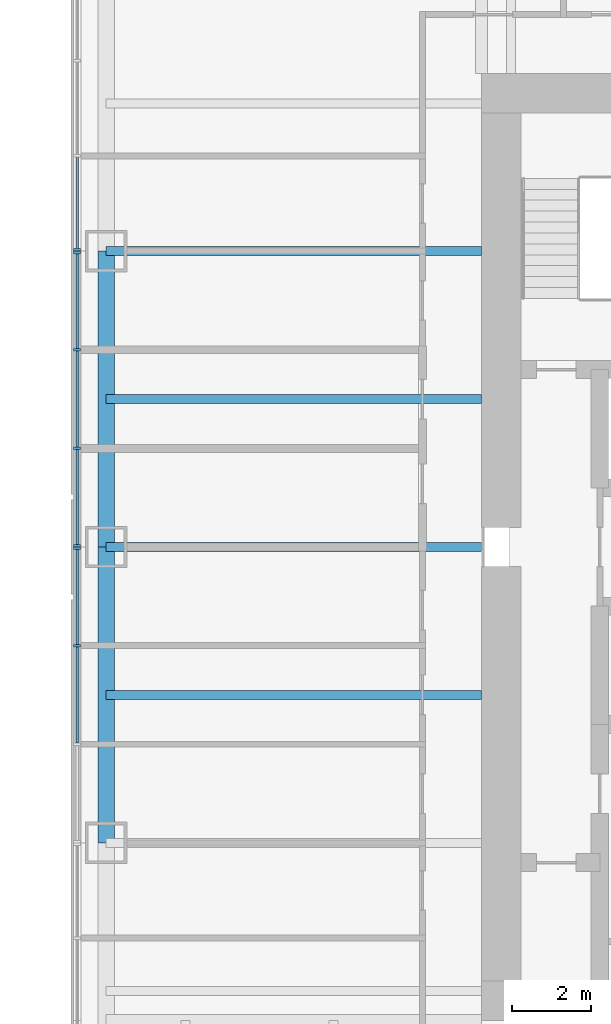
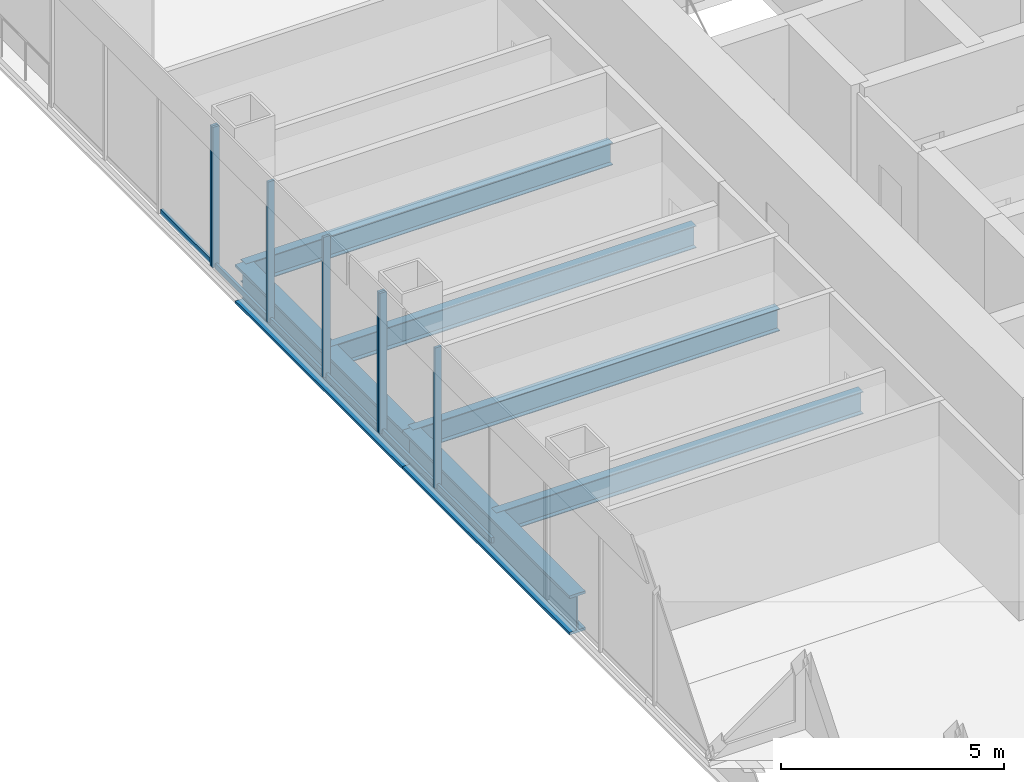
# One storey, part 3 of 14: 13 members, 6 beams, 3 elements without a shape of their own.
"""IFC4 building model written with IfcOpenShell, lengths in metres."""

from ifc_helpers import new_model, si_unit, direction, frame, origin, origin_2d, place, context, subcontext, project, spatial, rectangle, i_section, extrude, material, material_profile, profile_set, type_object, element, aggregate, save


model = new_model("IFC4")

# Units and contexts
model_context = context("Model", 3, precision=1e-05, world=origin(), true_north=direction((0.0, 1.0)))
body_context = subcontext(model_context, "Body", "Model", "MODEL_VIEW")
ifc_project = project(units=[si_unit("LENGTHUNIT", "METRE"), si_unit("AREAUNIT", "SQUARE_METRE"), si_unit("VOLUMEUNIT", "CUBIC_METRE"), si_unit("PLANEANGLEUNIT", "RADIAN"), si_unit("MASSUNIT", "GRAM", prefix="KILO")], contexts=[model_context])

# Site, building, storey
site_placement = place(None, origin())
site = spatial("IfcSite", under=ifc_project, at=site_placement, CompositionType="ELEMENT")
building_placement = place(site_placement, origin())
building = spatial("IfcBuilding", under=site, at=building_placement, Name="Tarangal Relay Tower", CompositionType="ELEMENT")
storey_placement = place(building_placement, frame((0.0, 0.0, 229.89990234375)))
storey = spatial("IfcBuildingStorey", under=building, at=storey_placement, Name="L49", CompositionType="ELEMENT", Elevation=229.89990234375)

# Beams
ifc_material_1 = material(Name="Steel ASTM A992", Category="steel")
ifc_material_profile_1 = material_profile(ifc_material_1, i_section(OverallWidth=0.41650390625, OverallDepth=1.0693359375, WebThickness=0.0390625, FlangeThickness=0.070068359375, at=origin_2d()), Name="W40X503")
ifc_profile_set_1 = profile_set([ifc_material_profile_1], Name="Steel ASTM A992")
beam_type_1 = type_object("IfcBeamType", Name="Edge girder W40X503", PredefinedType="SPANDREL", material=ifc_profile_set_1)
for number, where, z_axis, x_axis, name in (
    (1, (-21.514892578125, -7.5, -0.6845703125), (0.0, 1.0, 0.0), (-1.0, 0.0, 0.0), "Edge girder EG8 W L49"),
    (2, (-21.514892578125, 0.0, -0.6845703125), (0.0, 1.0, 0.0), (-1.0, 0.0, 0.0), "Edge girder EG8 W L49"),
):
    element("IfcBeam", number, at=place(storey_placement, frame(where, z_axis=z_axis, x_axis=x_axis)), inside=storey, type_object=beam_type_1, Name=name, PredefinedType="SPANDREL", context=body_context, shape_type="SweptSolid", body=[
        extrude(i_section(OverallWidth=0.41650390625, OverallDepth=1.0693359375, WebThickness=0.0390625, FlangeThickness=0.070068359375, at=origin_2d()), origin(), (0.0, 0.0, 1.0), 7.5),
    ])
ifc_material_profile_2 = material_profile(ifc_material_1, i_section(OverallWidth=0.22900390625, OverallDepth=0.612060546875, WebThickness=0.011962890625, FlangeThickness=0.01953125, at=origin_2d()), Name="W24X84")
ifc_profile_set_2 = profile_set([ifc_material_profile_2], Name="Steel ASTM A992")
beam_type_2 = type_object("IfcBeamType", Name="Floor beam W24X84", PredefinedType="BEAM", material=ifc_profile_set_2)
for number, where, z_axis, x_axis, name in (
    (3, (-12.0, -3.75, -0.455810546875), (-1.0, 0.0, 0.0), (0.0, -1.0, 0.0), "Floor beam RB12 W L49"),
    (4, (-12.0, 0.0, -0.455810546875), (-1.0, 0.0, 0.0), (0.0, -1.0, 0.0), "Floor beam RB12 W L49"),
    (5, (-12.0, 3.75, -0.455810546875), (-1.0, 0.0, 0.0), (0.0, -1.0, 0.0), "Floor beam RB12 W L49"),
    (6, (-12.0, 7.5, -0.455810546875), (-1.0, 0.0, 0.0), (0.0, -1.0, 0.0), "Floor beam RB12 W L49"),
):
    element("IfcBeam", number, at=place(storey_placement, frame(where, z_axis=z_axis, x_axis=x_axis)), inside=storey, type_object=beam_type_2, Name=name, PredefinedType="BEAM", context=body_context, shape_type="SweptSolid", body=[
        extrude(i_section(OverallWidth=0.22900390625, OverallDepth=0.612060546875, WebThickness=0.011962890625, FlangeThickness=0.01953125, at=origin_2d()), origin(), (0.0, 0.0, 1.0), 9.514892578125),
    ])

# Curtain wall, member
ifc_material_2 = material(Name="Unitised curtain wall, dark glass and black aluminium", Category="aluminium")
curtain_wall_type_1 = type_object("IfcCurtainWallType", Name="Curtain wall CW-A", PredefinedType="USERDEFINED", material=ifc_material_2)
curtain_wall_1_placement = place(storey_placement, origin())
curtain_wall_1 = element("IfcCurtainWall", 7, at=curtain_wall_1_placement, inside=storey, type_object=curtain_wall_type_1, Name="Curtain wall CW-A W facade L49", ObjectType="UNITISED CURTAIN WALL", PredefinedType="USERDEFINED")
ifc_material_3 = material(Name="Black anodised aluminium mullion", Category="aluminium")
ifc_material_profile_3 = material_profile(ifc_material_3, rectangle(XDim=0.175048828125, YDim=0.06494140625, at=origin_2d()), Name="CW-AM 65X175")
ifc_profile_set_3 = profile_set([ifc_material_profile_3], Name="Black anodised aluminium mullion")
member_type_1 = type_object("IfcMemberType", Name="Mullion CW-A 65 x 175", PredefinedType="MULLION", material=ifc_profile_set_3)
member_1_placement = place(storey_placement, frame((-22.25, 7.532470703125, 0.0), z_axis=(0.0, 0.0, 1.0), x_axis=(-1.0, 0.0, 0.0)))
member_1 = element("IfcMember", 8, at=member_1_placement, type_object=member_type_1, Name="CW-A mullion 1", PredefinedType="MULLION", context=body_context, shape_type="SweptSolid", body=[
    extrude(rectangle(XDim=0.175048828125, YDim=0.06494140625, at=origin_2d()), origin(), (0.0, 0.0, 1.0), 3.85009765625),
])

# Curtain wall, members
ifc_material_4 = material(Name="Unitised curtain wall frame, black aluminium, with metal clad infill walls", Category="aluminium")
curtain_wall_type_2 = type_object("IfcCurtainWallType", Name="Curtain wall CW-AO", PredefinedType="USERDEFINED", material=ifc_material_4)
curtain_wall_2_placement = place(storey_placement, origin())
curtain_wall_2 = element("IfcCurtainWall", 9, at=curtain_wall_2_placement, inside=storey, type_object=curtain_wall_type_2, Name="Curtain wall CW-AO W facade L49", ObjectType="UNITISED CURTAIN WALL", PredefinedType="USERDEFINED")
ifc_material_profile_4 = material_profile(ifc_material_3, rectangle(XDim=0.175048828125, YDim=0.06494140625, at=origin_2d()), Name="CW-AOM 65X175")
ifc_profile_set_4 = profile_set([ifc_material_profile_4], Name="Black anodised aluminium mullion")
member_type_2 = type_object("IfcMemberType", Name="Mullion CW-AO 65 x 175", PredefinedType="MULLION", material=ifc_profile_set_4)
member_2_placement = place(storey_placement, frame((-22.25, -2.5, 0.0), z_axis=(0.0, 0.0, 1.0), x_axis=(-1.0, 0.0, 0.0)))
member_2 = element("IfcMember", 10, at=member_2_placement, type_object=member_type_2, Name="CW-AO mullion 3", PredefinedType="MULLION", context=body_context, shape_type="SweptSolid", body=[
    extrude(rectangle(XDim=0.175048828125, YDim=0.06494140625, at=origin_2d()), origin(), (0.0, 0.0, 1.0), 3.85009765625),
])
member_3_placement = place(storey_placement, frame((-22.25, -0.032470703125, 0.0), z_axis=(0.0, 0.0, 1.0), x_axis=(-1.0, 0.0, 0.0)))
member_3 = element("IfcMember", 11, at=member_3_placement, type_object=member_type_2, Name="CW-AO mullion 4", PredefinedType="MULLION", context=body_context, shape_type="SweptSolid", body=[
    extrude(rectangle(XDim=0.175048828125, YDim=0.06494140625, at=origin_2d()), origin(), (0.0, 0.0, 1.0), 3.85009765625),
])

curtain_wall_3_placement = place(storey_placement, origin())
curtain_wall_3 = element("IfcCurtainWall", 12, at=curtain_wall_3_placement, inside=storey, type_object=curtain_wall_type_2, Name="Curtain wall CW-AO W facade L49", ObjectType="UNITISED CURTAIN WALL", PredefinedType="USERDEFINED")
member_4_placement = place(storey_placement, frame((-22.25, 0.032470703125, 0.0), z_axis=(0.0, 0.0, 1.0), x_axis=(-1.0, 0.0, 0.0)))
member_4 = element("IfcMember", 13, at=member_4_placement, type_object=member_type_2, Name="CW-AO mullion 1", PredefinedType="MULLION", context=body_context, shape_type="SweptSolid", body=[
    extrude(rectangle(XDim=0.175048828125, YDim=0.06494140625, at=origin_2d()), origin(), (0.0, 0.0, 1.0), 3.85009765625),
])
member_5_placement = place(storey_placement, frame((-22.25, 2.5, 0.0), z_axis=(0.0, 0.0, 1.0), x_axis=(-1.0, 0.0, 0.0)))
member_5 = element("IfcMember", 14, at=member_5_placement, type_object=member_type_2, Name="CW-AO mullion 2", PredefinedType="MULLION", context=body_context, shape_type="SweptSolid", body=[
    extrude(rectangle(XDim=0.175048828125, YDim=0.06494140625, at=origin_2d()), origin(), (0.0, 0.0, 1.0), 3.85009765625),
])
member_6_placement = place(storey_placement, frame((-22.25, 5.0, 0.0), z_axis=(0.0, 0.0, 1.0), x_axis=(-1.0, 0.0, 0.0)))
member_6 = element("IfcMember", 15, at=member_6_placement, type_object=member_type_2, Name="CW-AO mullion 3", PredefinedType="MULLION", context=body_context, shape_type="SweptSolid", body=[
    extrude(rectangle(XDim=0.175048828125, YDim=0.06494140625, at=origin_2d()), origin(), (0.0, 0.0, 1.0), 3.85009765625),
])
member_7_placement = place(storey_placement, frame((-22.25, 7.467529296875, 0.0), z_axis=(0.0, 0.0, 1.0), x_axis=(-1.0, 0.0, 0.0)))
member_7 = element("IfcMember", 16, at=member_7_placement, type_object=member_type_2, Name="CW-AO mullion 4", PredefinedType="MULLION", context=body_context, shape_type="SweptSolid", body=[
    extrude(rectangle(XDim=0.175048828125, YDim=0.06494140625, at=origin_2d()), origin(), (0.0, 0.0, 1.0), 3.85009765625),
])

# Member
ifc_material_5 = material(Name="Black anodised aluminium transom", Category="aluminium")
ifc_material_profile_5 = material_profile(ifc_material_5, rectangle(XDim=0.06494140625, YDim=0.14990234375, at=origin_2d()), Name="CW-AT 65X150")
ifc_profile_set_5 = profile_set([ifc_material_profile_5], Name="Black anodised aluminium transom")
member_type_3 = type_object("IfcMemberType", Name="Transom CW-A 65 x 150", PredefinedType="USERDEFINED", material=ifc_profile_set_5)
member_8_placement = place(storey_placement, frame((-22.25, 7.56494140625, 0.03271484375), z_axis=(0.0, 1.0, 0.0), x_axis=(-1.0, 0.0, 0.0)))
member_8 = element("IfcMember", 17, at=member_8_placement, type_object=member_type_3, Name="CW-A transom 1.1", ObjectType="TRANSOM", PredefinedType="USERDEFINED", context=body_context, shape_type="SweptSolid", body=[
    extrude(rectangle(XDim=0.06494140625, YDim=0.14990234375, at=origin_2d()), origin(), (0.0, 0.0, 1.0), 2.3193359375),
])

aggregate(curtain_wall_1, [member_1, member_8])

ifc_material_profile_6 = material_profile(ifc_material_5, rectangle(XDim=0.06494140625, YDim=0.14990234375, at=origin_2d()), Name="CW-AOT 65X150")
ifc_profile_set_6 = profile_set([ifc_material_profile_6], Name="Black anodised aluminium transom")
member_type_4 = type_object("IfcMemberType", Name="Transom CW-AO 65 x 150", PredefinedType="USERDEFINED", material=ifc_profile_set_6)
member_9_placement = place(storey_placement, frame((-22.25, -4.967529296875, 0.03271484375), z_axis=(0.0, 1.0, 0.0), x_axis=(-1.0, 0.0, 0.0)))
member_9 = element("IfcMember", 18, at=member_9_placement, type_object=member_type_4, Name="CW-AO transom 2.1", ObjectType="TRANSOM", PredefinedType="USERDEFINED", context=body_context, shape_type="SweptSolid", body=[
    extrude(rectangle(XDim=0.06494140625, YDim=0.14990234375, at=origin_2d()), origin(), (0.0, 0.0, 1.0), 2.43505859375),
])

member_10_placement = place(storey_placement, frame((-22.25, -2.467529296875, 0.03271484375), z_axis=(0.0, 1.0, 0.0), x_axis=(-1.0, 0.0, 0.0)))
member_10 = element("IfcMember", 19, at=member_10_placement, type_object=member_type_4, Name="CW-AO transom 3.1", ObjectType="TRANSOM", PredefinedType="USERDEFINED", context=body_context, shape_type="SweptSolid", body=[
    extrude(rectangle(XDim=0.06494140625, YDim=0.14990234375, at=origin_2d()), origin(), (0.0, 0.0, 1.0), 2.402587890625),
])

aggregate(curtain_wall_2, [member_2, member_3, member_9, member_10])

member_11_placement = place(storey_placement, frame((-22.25, 0.06494140625, 0.03271484375), z_axis=(0.0, 1.0, 0.0), x_axis=(-1.0, 0.0, 0.0)))
member_11 = element("IfcMember", 20, at=member_11_placement, type_object=member_type_4, Name="CW-AO transom 1.1", ObjectType="TRANSOM", PredefinedType="USERDEFINED", context=body_context, shape_type="SweptSolid", body=[
    extrude(rectangle(XDim=0.06494140625, YDim=0.14990234375, at=origin_2d()), origin(), (0.0, 0.0, 1.0), 2.402587890625),
])

member_12_placement = place(storey_placement, frame((-22.25, 2.532470703125, 0.03271484375), z_axis=(0.0, 1.0, 0.0), x_axis=(-1.0, 0.0, 0.0)))
member_12 = element("IfcMember", 21, at=member_12_placement, type_object=member_type_4, Name="CW-AO transom 2.1", ObjectType="TRANSOM", PredefinedType="USERDEFINED", context=body_context, shape_type="SweptSolid", body=[
    extrude(rectangle(XDim=0.06494140625, YDim=0.14990234375, at=origin_2d()), origin(), (0.0, 0.0, 1.0), 2.43505859375),
])

member_13_placement = place(storey_placement, frame((-22.25, 5.032470703125, 0.03271484375), z_axis=(0.0, 1.0, 0.0), x_axis=(-1.0, 0.0, 0.0)))
member_13 = element("IfcMember", 22, at=member_13_placement, type_object=member_type_4, Name="CW-AO transom 3.1", ObjectType="TRANSOM", PredefinedType="USERDEFINED", context=body_context, shape_type="SweptSolid", body=[
    extrude(rectangle(XDim=0.06494140625, YDim=0.14990234375, at=origin_2d()), origin(), (0.0, 0.0, 1.0), 2.402587890625),
])

aggregate(curtain_wall_3, [member_4, member_5, member_6, member_7, member_11, member_12, member_13])

save(model, "model.ifc")
